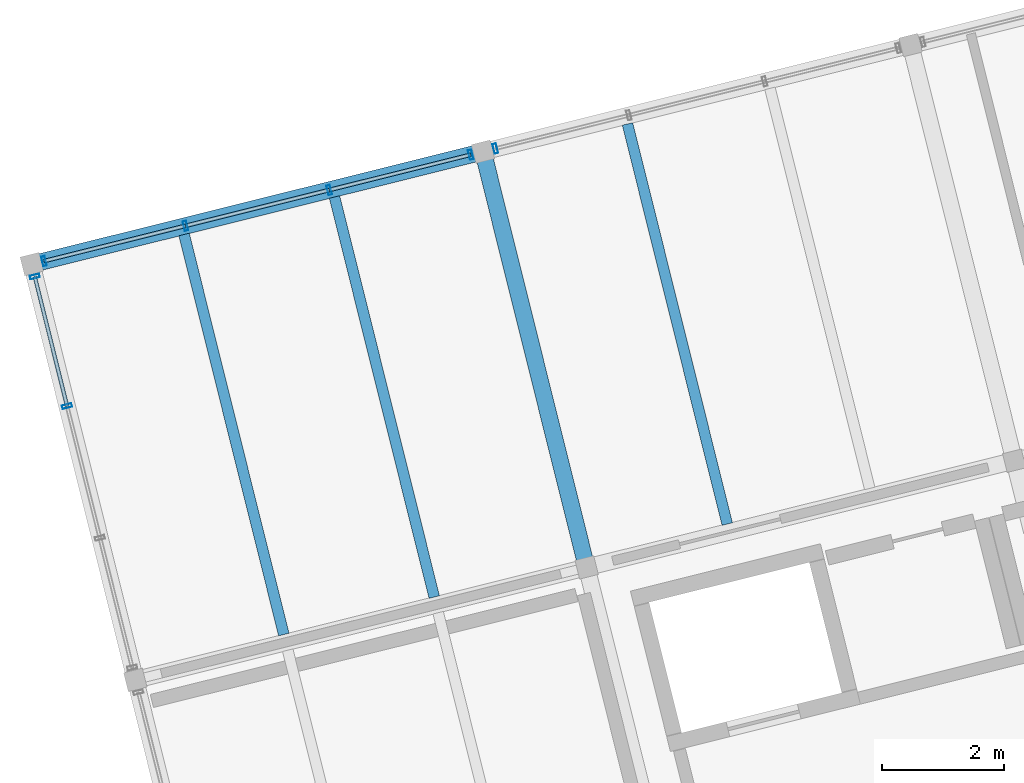
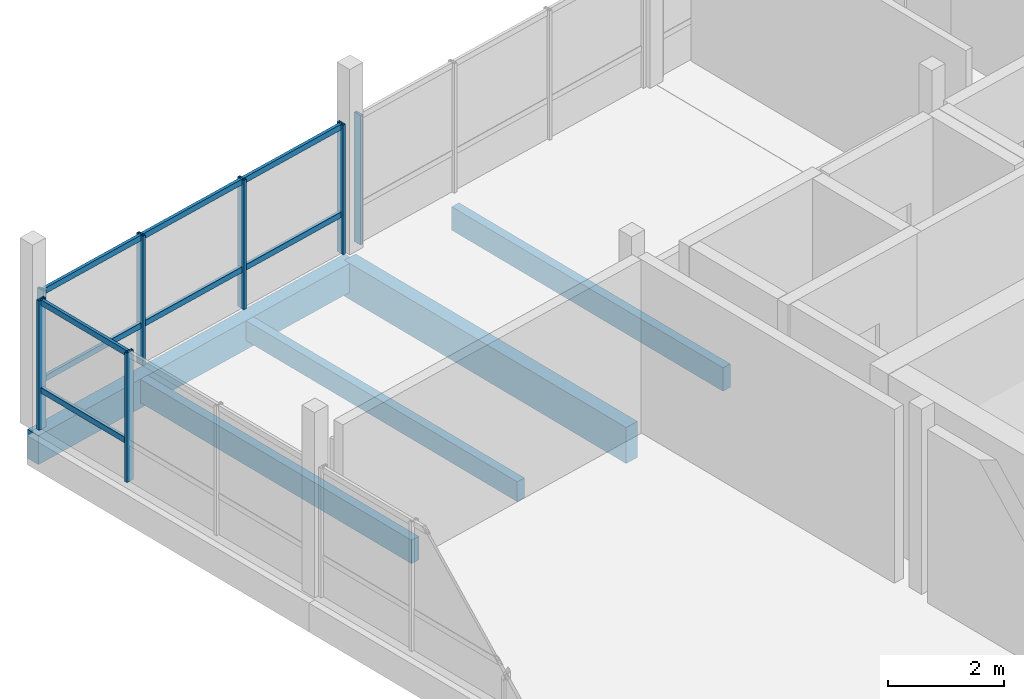
# One storey, part 11 of 24: 15 members, 5 beams, 3 elements without a shape of their own.
"""IFC4 building model written with IfcOpenShell, lengths in metres."""

from ifc_helpers import new_model, si_unit, direction, frame, origin, origin_2d, place, context, subcontext, project, spatial, rectangle, hollow_rectangle, extrude, material, layer, layer_set, material_profile, profile_set, type_object, element, aggregate, save


model = new_model("IFC4")

# Units and contexts
model_context = context("Model", 3, precision=1e-05, world=origin(), true_north=direction((0.0, 1.0)))
body_context = subcontext(model_context, "Body", "Model", "MODEL_VIEW")
ifc_project = project(units=[si_unit("LENGTHUNIT", "METRE"), si_unit("AREAUNIT", "SQUARE_METRE"), si_unit("VOLUMEUNIT", "CUBIC_METRE"), si_unit("PLANEANGLEUNIT", "RADIAN"), si_unit("MASSUNIT", "GRAM", prefix="KILO")], contexts=[model_context])

# Site, building, storey
site_placement = place(None, origin())
site = spatial("IfcSite", under=ifc_project, at=site_placement, CompositionType="ELEMENT")
building_placement = place(site_placement, origin())
building = spatial("IfcBuilding", under=site, at=building_placement, Name="Meriwether Solvik Hall", CompositionType="ELEMENT")
storey_placement = place(building_placement, frame((0.0, 0.0, 57.300048828125)))
storey = spatial("IfcBuildingStorey", under=building, at=storey_placement, Name="L14", CompositionType="ELEMENT", Elevation=57.300048828125)

# Beams
ifc_material_1 = material(Name="Glulam Douglas-Fir 24F-V8 GL28h", Category="wood")
ifc_material_profile_1 = material_profile(ifc_material_1, rectangle(XDim=0.27294921875, YDim=0.610107421875, at=origin_2d()), Name="GLB-273X610")
ifc_profile_set_1 = profile_set([ifc_material_profile_1], Name="Glulam Douglas-Fir 24F-V8 GL28h")
beam_type_1 = type_object("IfcBeamType", Name="BM-GL-273X610", PredefinedType="SPANDREL", material=ifc_profile_set_1)
beam_1_placement = place(storey_placement, frame((61.826171875, 68.3681640625, -0.505126953125), z_axis=(0.970295366785, 0.241923337436, 0.0), x_axis=(-0.241923337436, 0.970295366785, 0.0)))
element("IfcBeam", 1, at=beam_1_placement, inside=storey, type_object=beam_type_1, Name="Tower Girder TE:T1-T2 (L14)", PredefinedType="SPANDREL", context=body_context, shape_type="SweptSolid", body=[
    extrude(rectangle(XDim=0.27294921875, YDim=0.610107421875, at=origin_2d()), origin(), (0.0, 0.0, 1.0), 7.60009765625),
])
ifc_material_2 = material(Name="Glulam Douglas-Fir 24F-V8 GL28h", Category="wood")
ifc_material_profile_2 = material_profile(ifc_material_2, rectangle(XDim=0.27294921875, YDim=0.760009765625, at=origin_2d()), Name="GLB-273X760")
ifc_profile_set_2 = profile_set([ifc_material_profile_2], Name="Glulam Douglas-Fir 24F-V8 GL28h")
beam_type_2 = type_object("IfcBeamType", Name="BM-GL-273X760", PredefinedType="BEAM", material=ifc_profile_set_2)
beam_2_placement = place(storey_placement, frame((70.893798828125, 63.414794921875, -0.580078125), z_axis=(-0.241911879182, 0.970298223594, 0.0), x_axis=(-0.970298223594, -0.241911879182, 0.0)))
element("IfcBeam", 2, at=beam_2_placement, inside=storey, type_object=beam_type_2, Name="Tower Girder T2:TD-TE (L14)", PredefinedType="BEAM", context=body_context, shape_type="SweptSolid", body=[
    extrude(rectangle(XDim=0.27294921875, YDim=0.760009765625, at=origin_2d()), origin(), (0.0, 0.0, 1.0), 7.0),
])

# Curtain wall, members
ifc_material_3 = material(Name="Thermally Broken Anodised Aluminium 6063-T6 and Low-E Glass", Category="aluminium")
ifc_layer_1 = layer(ifc_material_3, 0.179931640625)
ifc_layer_set_1 = layer_set([ifc_layer_1], Name="Thermally Broken Anodised Aluminium 6063-T6 and Low-E Glass")
curtain_wall_type_1 = type_object("IfcCurtainWallType", Name="CW-UNIT-G", PredefinedType="USERDEFINED", material=ifc_layer_set_1)
curtain_wall_1_placement = place(storey_placement, origin())
curtain_wall_1 = element("IfcCurtainWall", 3, at=curtain_wall_1_placement, inside=storey, type_object=curtain_wall_type_1, Name="Curtain Wall E2_B0 (L14)", ObjectType="UNITISED CURTAIN WALL", PredefinedType="USERDEFINED")
ifc_material_4 = material(Name="Anodised Aluminium 6063-T6", Category="aluminium")
ifc_material_profile_3 = material_profile(ifc_material_4, hollow_rectangle(XDim=0.06005859375, YDim=0.159912109375, WallThickness=0.00390625, at=origin_2d()), Name="CWM-60X160")
ifc_profile_set_3 = profile_set([ifc_material_profile_3], Name="Anodised Aluminium 6063-T6")
member_type_1 = type_object("IfcMemberType", Name="CW-MUL-60X160", PredefinedType="MULLION", material=ifc_profile_set_3)
member_1_placement = place(storey_placement, frame((62.027587890625, 68.41845703125, 0.0), z_axis=(0.0, 0.0, 1.0), x_axis=(0.970295720361, 0.241921919325, 0.0)))
member_1 = element("IfcMember", 4, at=member_1_placement, type_object=member_type_1, Name="Curtain Wall Mullion 1", PredefinedType="MULLION", context=body_context, shape_type="SweptSolid", body=[
    extrude(hollow_rectangle(XDim=0.06005859375, YDim=0.159912109375, WallThickness=0.00390625, at=origin_2d()), origin(), (0.0, 0.0, 1.0), 2.724853515625),
])
member_2_placement = place(storey_placement, frame((64.339111328125, 68.994873046875, 0.0), z_axis=(0.0, 0.0, 1.0), x_axis=(0.970295720361, 0.241921919325, 0.0)))
member_2 = element("IfcMember", 5, at=member_2_placement, type_object=member_type_1, Name="Curtain Wall Mullion 2", PredefinedType="MULLION", context=body_context, shape_type="SweptSolid", body=[
    extrude(hollow_rectangle(XDim=0.06005859375, YDim=0.159912109375, WallThickness=0.00390625, at=origin_2d()), origin(), (0.0, 0.0, 1.0), 2.724853515625),
])
member_3_placement = place(storey_placement, frame((66.6875, 69.580322265625, 0.0), z_axis=(0.0, 0.0, 1.0), x_axis=(0.970295720361, 0.241921919325, 0.0)))
member_3 = element("IfcMember", 6, at=member_3_placement, type_object=member_type_1, Name="Curtain Wall Mullion 3", PredefinedType="MULLION", context=body_context, shape_type="SweptSolid", body=[
    extrude(hollow_rectangle(XDim=0.06005859375, YDim=0.159912109375, WallThickness=0.00390625, at=origin_2d()), origin(), (0.0, 0.0, 1.0), 2.724853515625),
])
member_4_placement = place(storey_placement, frame((68.9990234375, 70.15673828125, 0.0), z_axis=(0.0, 0.0, 1.0), x_axis=(0.970295720361, 0.241921919325, 0.0)))
member_4 = element("IfcMember", 7, at=member_4_placement, type_object=member_type_1, Name="Curtain Wall Mullion 4", PredefinedType="MULLION", context=body_context, shape_type="SweptSolid", body=[
    extrude(hollow_rectangle(XDim=0.06005859375, YDim=0.159912109375, WallThickness=0.00390625, at=origin_2d()), origin(), (0.0, 0.0, 1.0), 2.724853515625),
])

# Curtain wall, member
ifc_material_5 = material(Name="Thermally Broken Anodised Aluminium 6063-T6 and Low-E Glass", Category="aluminium")
ifc_layer_2 = layer(ifc_material_5, 0.179931640625)
ifc_layer_set_2 = layer_set([ifc_layer_2], Name="Thermally Broken Anodised Aluminium 6063-T6 and Low-E Glass")
curtain_wall_type_2 = type_object("IfcCurtainWallType", Name="CW-UNIT-A", PredefinedType="USERDEFINED", material=ifc_layer_set_2)
curtain_wall_2_placement = place(storey_placement, origin())
curtain_wall_2 = element("IfcCurtainWall", 8, at=curtain_wall_2_placement, inside=storey, type_object=curtain_wall_type_2, Name="Curtain Wall E2_B1 (L14)", ObjectType="UNITISED CURTAIN WALL", PredefinedType="USERDEFINED")
member_5_placement = place(storey_placement, frame((69.40185546875, 70.257080078125, 0.0), z_axis=(0.0, 0.0, 1.0), x_axis=(0.970295730764, 0.241921877598, 0.0)))
member_5 = element("IfcMember", 9, at=member_5_placement, type_object=member_type_1, Name="Curtain Wall Mullion 1", PredefinedType="MULLION", context=body_context, shape_type="SweptSolid", body=[
    extrude(hollow_rectangle(XDim=0.06005859375, YDim=0.159912109375, WallThickness=0.00390625, at=origin_2d()), origin(), (0.0, 0.0, 1.0), 2.724853515625),
])
aggregate(curtain_wall_2, [member_5])

# Curtain wall, members
ifc_material_6 = material(Name="Thermally Broken Anodised Aluminium 6063-T6 and Low-E Glass", Category="aluminium")
ifc_layer_3 = layer(ifc_material_6, 0.179931640625)
ifc_layer_set_3 = layer_set([ifc_layer_3], Name="Thermally Broken Anodised Aluminium 6063-T6 and Low-E Glass")
curtain_wall_type_3 = type_object("IfcCurtainWallType", Name="CW-UNIT-D", PredefinedType="USERDEFINED", material=ifc_layer_set_3)
curtain_wall_3_placement = place(storey_placement, origin())
curtain_wall_3 = element("IfcCurtainWall", 10, at=curtain_wall_3_placement, inside=storey, type_object=curtain_wall_type_3, Name="Curtain Wall E3_B3 (L14)", ObjectType="UNITISED CURTAIN WALL", PredefinedType="USERDEFINED")
member_6_placement = place(storey_placement, frame((62.404296875, 66.049560546875, 0.0), z_axis=(0.0, 0.0, 1.0), x_axis=(-0.241921784185, 0.970295754055, 0.0)))
member_6 = element("IfcMember", 11, at=member_6_placement, type_object=member_type_1, Name="Curtain Wall Mullion 3", PredefinedType="MULLION", context=body_context, shape_type="SweptSolid", body=[
    extrude(hollow_rectangle(XDim=0.06005859375, YDim=0.159912109375, WallThickness=0.00390625, at=origin_2d()), origin(), (0.0, 0.0, 1.0), 2.724853515625),
])
member_7_placement = place(storey_placement, frame((61.87646484375, 68.1669921875, 0.0), z_axis=(0.0, 0.0, 1.0), x_axis=(-0.241921784185, 0.970295754055, 0.0)))
member_7 = element("IfcMember", 12, at=member_7_placement, type_object=member_type_1, Name="Curtain Wall Mullion 4", PredefinedType="MULLION", context=body_context, shape_type="SweptSolid", body=[
    extrude(hollow_rectangle(XDim=0.06005859375, YDim=0.159912109375, WallThickness=0.00390625, at=origin_2d()), origin(), (0.0, 0.0, 1.0), 2.724853515625),
])

# Member
ifc_material_7 = material(Name="Anodised Aluminium 6063-T6", Category="aluminium")
ifc_material_profile_4 = material_profile(ifc_material_7, hollow_rectangle(XDim=0.06005859375, YDim=0.1201171875, WallThickness=0.00390625, at=origin_2d()), Name="CWT-60X120")
ifc_profile_set_4 = profile_set([ifc_material_profile_4], Name="Anodised Aluminium 6063-T6")
member_type_2 = type_object("IfcMemberType", Name="CW-TRN-60X120", PredefinedType="USERDEFINED", material=ifc_profile_set_4)
member_8_placement = place(storey_placement, frame((62.027587890625, 68.41845703125, 0.8173828125), z_axis=(0.970287006133, 0.241956867499, 0.0), x_axis=(-0.241956867499, 0.970287006133, 0.0)))
member_8 = element("IfcMember", 13, at=member_8_placement, type_object=member_type_2, Name="Curtain Wall Transom 1-sill", ObjectType="TRANSOM", PredefinedType="USERDEFINED", context=body_context, shape_type="SweptSolid", body=[
    extrude(hollow_rectangle(XDim=0.06005859375, YDim=0.1201171875, WallThickness=0.00390625, at=origin_2d()), origin(), (0.0, 0.0, 1.0), 2.38232421875),
])

member_9_placement = place(storey_placement, frame((62.027587890625, 68.41845703125, 2.6650390625), z_axis=(0.970287006133, 0.241956867499, 0.0), x_axis=(-0.241956867499, 0.970287006133, 0.0)))
member_9 = element("IfcMember", 14, at=member_9_placement, type_object=member_type_2, Name="Curtain Wall Transom 1-head", ObjectType="TRANSOM", PredefinedType="USERDEFINED", context=body_context, shape_type="SweptSolid", body=[
    extrude(hollow_rectangle(XDim=0.06005859375, YDim=0.1201171875, WallThickness=0.00390625, at=origin_2d()), origin(), (0.0, 0.0, 1.0), 2.38232421875),
])

member_10_placement = place(storey_placement, frame((64.339111328125, 68.994873046875, 0.8173828125), z_axis=(0.970302499388, 0.24189472851, 0.0), x_axis=(-0.24189472851, 0.970302499388, 0.0)))
member_10 = element("IfcMember", 15, at=member_10_placement, type_object=member_type_2, Name="Curtain Wall Transom 2-sill", ObjectType="TRANSOM", PredefinedType="USERDEFINED", context=body_context, shape_type="SweptSolid", body=[
    extrude(hollow_rectangle(XDim=0.06005859375, YDim=0.1201171875, WallThickness=0.00390625, at=origin_2d()), origin(), (0.0, 0.0, 1.0), 2.420166015625),
])

member_11_placement = place(storey_placement, frame((64.339111328125, 68.994873046875, 2.6650390625), z_axis=(0.970302499388, 0.24189472851, 0.0), x_axis=(-0.24189472851, 0.970302499388, 0.0)))
member_11 = element("IfcMember", 16, at=member_11_placement, type_object=member_type_2, Name="Curtain Wall Transom 2-head", ObjectType="TRANSOM", PredefinedType="USERDEFINED", context=body_context, shape_type="SweptSolid", body=[
    extrude(hollow_rectangle(XDim=0.06005859375, YDim=0.1201171875, WallThickness=0.00390625, at=origin_2d()), origin(), (0.0, 0.0, 1.0), 2.420166015625),
])

member_12_placement = place(storey_placement, frame((66.6875, 69.580322265625, 0.8173828125), z_axis=(0.970287006133, 0.241956867499, 0.0), x_axis=(-0.241956867499, 0.970287006133, 0.0)))
member_12 = element("IfcMember", 17, at=member_12_placement, type_object=member_type_2, Name="Curtain Wall Transom 3-sill", ObjectType="TRANSOM", PredefinedType="USERDEFINED", context=body_context, shape_type="SweptSolid", body=[
    extrude(hollow_rectangle(XDim=0.06005859375, YDim=0.1201171875, WallThickness=0.00390625, at=origin_2d()), origin(), (0.0, 0.0, 1.0), 2.38232421875),
])

member_13_placement = place(storey_placement, frame((66.6875, 69.580322265625, 2.6650390625), z_axis=(0.970287006133, 0.241956867499, 0.0), x_axis=(-0.241956867499, 0.970287006133, 0.0)))
member_13 = element("IfcMember", 18, at=member_13_placement, type_object=member_type_2, Name="Curtain Wall Transom 3-head", ObjectType="TRANSOM", PredefinedType="USERDEFINED", context=body_context, shape_type="SweptSolid", body=[
    extrude(hollow_rectangle(XDim=0.06005859375, YDim=0.1201171875, WallThickness=0.00390625, at=origin_2d()), origin(), (0.0, 0.0, 1.0), 2.38232421875),
])

aggregate(curtain_wall_1, [member_1, member_2, member_3, member_4, member_8, member_9, member_10, member_11, member_12, member_13])

member_14_placement = place(storey_placement, frame((62.404296875, 66.049560546875, 0.8173828125), z_axis=(-0.241877470874, 0.970306801524, 0.0), x_axis=(-0.970306801524, -0.241877470874, 0.0)))
member_14 = element("IfcMember", 19, at=member_14_placement, type_object=member_type_2, Name="Curtain Wall Transom 3-sill", ObjectType="TRANSOM", PredefinedType="USERDEFINED", context=body_context, shape_type="SweptSolid", body=[
    extrude(hollow_rectangle(XDim=0.06005859375, YDim=0.1201171875, WallThickness=0.00390625, at=origin_2d()), origin(), (0.0, 0.0, 1.0), 2.18212890625),
])

member_15_placement = place(storey_placement, frame((62.404296875, 66.049560546875, 2.6650390625), z_axis=(-0.241877470874, 0.970306801524, 0.0), x_axis=(-0.970306801524, -0.241877470874, 0.0)))
member_15 = element("IfcMember", 20, at=member_15_placement, type_object=member_type_2, Name="Curtain Wall Transom 3-head", ObjectType="TRANSOM", PredefinedType="USERDEFINED", context=body_context, shape_type="SweptSolid", body=[
    extrude(hollow_rectangle(XDim=0.06005859375, YDim=0.1201171875, WallThickness=0.00390625, at=origin_2d()), origin(), (0.0, 0.0, 1.0), 2.18212890625),
])

aggregate(curtain_wall_3, [member_6, member_7, member_14, member_15])

# Beams
ifc_material_8 = material(Name="Glulam Douglas-Fir 24F-V8 GL28h", Category="wood")
ifc_material_profile_5 = material_profile(ifc_material_8, rectangle(XDim=0.175048828125, YDim=0.419921875, at=origin_2d()), Name="GLJ-175X420")
ifc_profile_set_5 = profile_set([ifc_material_profile_5], Name="Glulam Douglas-Fir 24F-V8 GL28h")
beam_type_3 = type_object("IfcBeamType", Name="JST-GL-175X420", PredefinedType="JOIST", material=ifc_profile_set_5)
beam_3_placement = place(storey_placement, frame((68.404052734375, 62.929443359375, -0.41015625), z_axis=(-0.241921670289, 0.970295782452, 0.0), x_axis=(-0.970295782452, -0.241921670289, 0.0)))
element("IfcBeam", 21, at=beam_3_placement, inside=storey, type_object=beam_type_3, Name="Glulam Floor Joist T1/TD-J2 (L14)", PredefinedType="JOIST", context=body_context, shape_type="SweptSolid", body=[
    extrude(rectangle(XDim=0.175048828125, YDim=0.419921875, at=origin_2d()), origin(), (0.0, 0.0, 1.0), 6.7373046875),
])
ifc_material_9 = material(Name="Glulam Douglas-Fir 24F-V8 GL28h", Category="wood")
ifc_material_profile_6 = material_profile(ifc_material_9, rectangle(XDim=0.175048828125, YDim=0.4951171875, at=origin_2d()), Name="GLJ-175X495")
ifc_profile_set_6 = profile_set([ifc_material_profile_6], Name="Glulam Douglas-Fir 24F-V8 GL28h")
beam_type_4 = type_object("IfcBeamType", Name="JST-GL-175X495", PredefinedType="JOIST", material=ifc_profile_set_6)
for number, where, z_axis, x_axis, name in (
    (22, (65.94580078125, 62.316650390625, -0.447509765625), (-0.241896058636, 0.970302167789, 0.0), (-0.970302167789, -0.241896058636, 0.0), "Glulam Floor Joist T1/TD-J1 (L14)"),
    (23, (73.190673828125, 64.123046875, -0.447509765625), (-0.241896058636, 0.970302167789, 0.0), (-0.970302167789, -0.241896058636, 0.0), "Glulam Floor Joist T2/TD-J1 (L14)"),
):
    element("IfcBeam", number, at=place(storey_placement, frame(where, z_axis=z_axis, x_axis=x_axis)), inside=storey, type_object=beam_type_4, Name=name, PredefinedType="JOIST", context=body_context, shape_type="SweptSolid", body=[
        extrude(rectangle(XDim=0.175048828125, YDim=0.4951171875, at=origin_2d()), origin(), (0.0, 0.0, 1.0), 6.73681640625),
    ])

save(model, "model.ifc")
